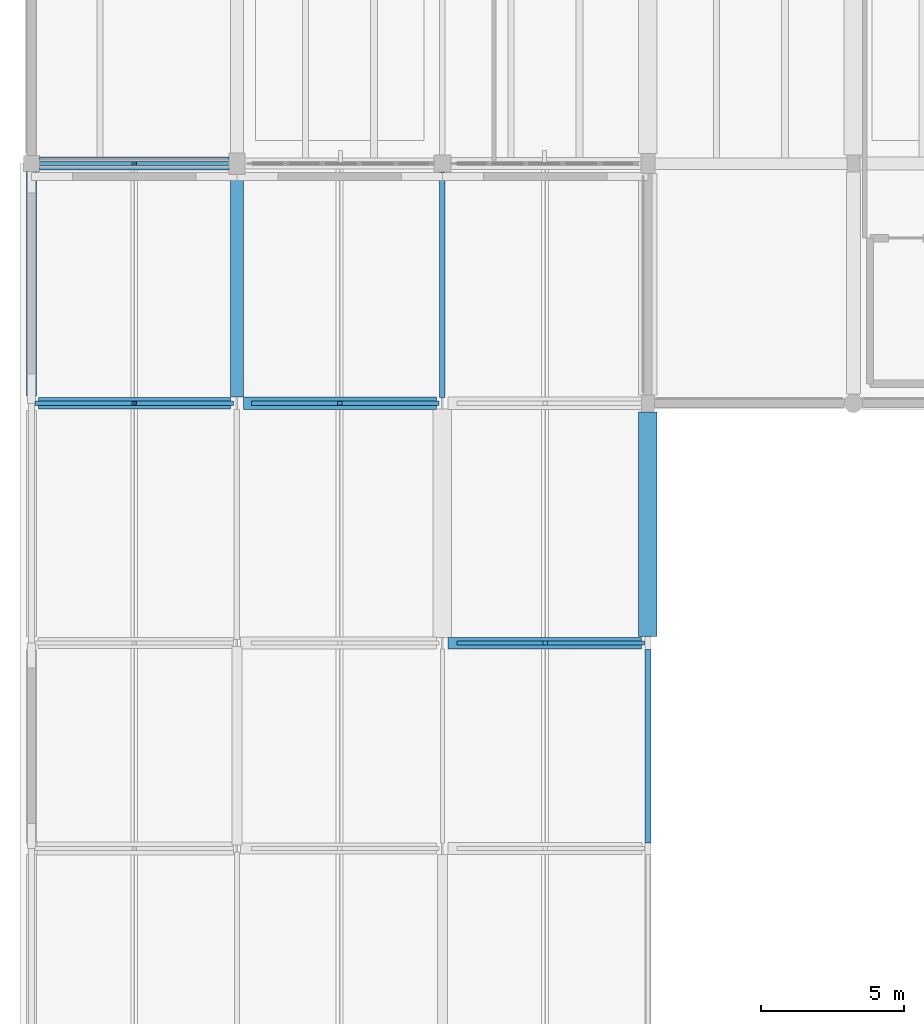
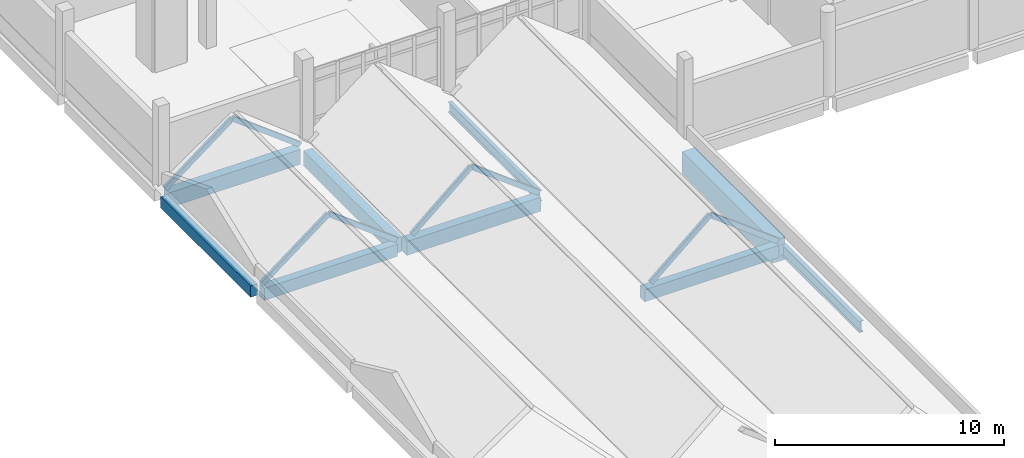
# One storey, part 7 of 41: 9 beams, 8 members.
"""IFC4 building model written with IfcOpenShell, lengths in metres."""

from ifc_helpers import new_model, si_unit, direction, frame, origin, origin_2d, place, context, subcontext, project, spatial, rectangle, hollow_rectangle, i_section, extrude, material, material_profile, profile_set, type_object, element, save


model = new_model("IFC4")

# Units and contexts
model_context = context("Model", 3, precision=1e-05, world=origin(), true_north=direction((0.0, 1.0)))
body_context = subcontext(model_context, "Body", "Model", "MODEL_VIEW")
ifc_project = project(units=[si_unit("LENGTHUNIT", "METRE"), si_unit("AREAUNIT", "SQUARE_METRE"), si_unit("VOLUMEUNIT", "CUBIC_METRE"), si_unit("PLANEANGLEUNIT", "RADIAN"), si_unit("MASSUNIT", "GRAM", prefix="KILO")], contexts=[model_context])

# Site, building, storey
site_placement = place(None, origin())
site = spatial("IfcSite", under=ifc_project, at=site_placement, CompositionType="ELEMENT")
building_placement = place(site_placement, origin())
building = spatial("IfcBuilding", under=site, at=building_placement, Name="Kalluvel Institute of Natural Sciences", CompositionType="ELEMENT")
storey_placement = place(building_placement, frame((0.0, 0.0, 32.39990234375)))
storey = spatial("IfcBuildingStorey", under=building, at=storey_placement, Name="L07", CompositionType="ELEMENT", Elevation=32.39990234375)

# Beams
ifc_material_1 = material(Name="Steel E350 Grade 350", Category="steel")
ifc_material_profile_1 = material_profile(ifc_material_1, i_section(OverallWidth=0.18994140625, OverallDepth=0.550048828125, WebThickness=0.01123046875, FlangeThickness=0.019287109375, FilletRadius=0.01806640625, at=origin_2d()), Name="ISMB 550")
ifc_profile_set_1 = profile_set([ifc_material_profile_1], Name="Steel E350 Grade 350")
beam_type_1 = type_object("IfcBeamType", Name="BM-ISMB550", PredefinedType="BEAM", material=ifc_profile_set_1)
beam_1_placement = place(storey_placement, frame((28.39990234375, 94.60009765625, -0.594970703125), z_axis=(0.0, 1.0, 0.0), x_axis=(-1.0, 0.0, 0.0)))
element("IfcBeam", 1, at=beam_1_placement, inside=storey, type_object=beam_type_1, Name="L07 girder GIR-L07-NS-X284-Y944", PredefinedType="BEAM", context=body_context, shape_type="SweptSolid", body=[
    extrude(i_section(OverallWidth=0.18994140625, OverallDepth=0.550048828125, WebThickness=0.01123046875, FlangeThickness=0.019287109375, FilletRadius=0.01806640625, at=origin_2d()), origin(), (0.0, 0.0, 1.0), 7.89990234375),
])
ifc_material_profile_2 = material_profile(ifc_material_1, i_section(OverallWidth=0.2099609375, OverallDepth=0.60009765625, WebThickness=0.011962890625, FlangeThickness=0.020751953125, FilletRadius=0.02001953125, at=origin_2d()), Name="ISMB 600")
ifc_profile_set_2 = profile_set([ifc_material_profile_2], Name="Steel E350 Grade 350")
beam_type_2 = type_object("IfcBeamType", Name="BM-ISMB600", PredefinedType="BEAM", material=ifc_profile_set_2)
beam_2_placement = place(storey_placement, frame((35.60009765625, 79.0, -0.619873046875), z_axis=(0.0, 1.0, 0.0), x_axis=(-1.0, 0.0, 0.0)))
element("IfcBeam", 2, at=beam_2_placement, inside=storey, type_object=beam_type_2, Name="L07 girder GIR-L07-NS-X356-Y788", PredefinedType="BEAM", context=body_context, shape_type="SweptSolid", body=[
    extrude(i_section(OverallWidth=0.2099609375, OverallDepth=0.60009765625, WebThickness=0.011962890625, FlangeThickness=0.020751953125, FilletRadius=0.02001953125, at=origin_2d()), origin(), (0.0, 0.0, 1.0), 6.77490234375),
])
ifc_material_2 = material(Name="Concrete M40", Category="concrete")
ifc_material_profile_3 = material_profile(ifc_material_2, rectangle(XDim=0.39990234375, YDim=0.64990234375, at=origin_2d()), Name="RCB 400x650")
ifc_profile_set_3 = profile_set([ifc_material_profile_3], Name="Concrete M40")
beam_type_3 = type_object("IfcBeamType", Name="BM-RC400x650", PredefinedType="BEAM", material=ifc_profile_set_3)
beam_3_placement = place(storey_placement, frame((28.60009765625, 86.0, -0.64501953125), z_axis=(1.0, 0.0, 0.0), x_axis=(0.0, 1.0, 0.0)))
element("IfcBeam", 3, at=beam_3_placement, inside=storey, type_object=beam_type_3, Name="L07 girder GIR-L07-EW-X284-Y860", PredefinedType="BEAM", context=body_context, shape_type="SweptSolid", body=[
    extrude(rectangle(XDim=0.39990234375, YDim=0.64990234375, at=origin_2d()), origin(), (0.0, 0.0, 1.0), 6.77490234375),
])
beam_4_placement = place(storey_placement, frame((14.25, 94.39990234375, -0.64501953125), z_axis=(1.0, 0.0, 0.0), x_axis=(0.0, 1.0, 0.0)))
element("IfcBeam", 4, at=beam_4_placement, inside=storey, type_object=beam_type_3, Name="L07 girder GIR-L07-EW-X140-Y944", PredefinedType="BEAM", context=body_context, shape_type="SweptSolid", body=[
    extrude(rectangle(XDim=0.39990234375, YDim=0.64990234375, at=origin_2d()), origin(), (0.0, 0.0, 1.0), 6.72509765625),
])
ifc_material_profile_4 = material_profile(ifc_material_2, rectangle(XDim=0.449951171875, YDim=0.75, at=origin_2d()), Name="RCB 450x750")
ifc_profile_set_4 = profile_set([ifc_material_profile_4], Name="Concrete M40")
beam_type_4 = type_object("IfcBeamType", Name="BM-RC450x750", PredefinedType="BEAM", material=ifc_profile_set_4)
beam_5_placement = place(storey_placement, frame((21.425048828125, 94.39990234375, -0.69482421875), z_axis=(1.0, 0.0, 0.0), x_axis=(0.0, 1.0, 0.0)))
element("IfcBeam", 5, at=beam_5_placement, inside=storey, type_object=beam_type_4, Name="L07 girder GIR-L07-EW-X212-Y944", PredefinedType="BEAM", context=body_context, shape_type="SweptSolid", body=[
    extrude(rectangle(XDim=0.449951171875, YDim=0.75, at=origin_2d()), origin(), (0.0, 0.0, 1.0), 6.77490234375),
])
ifc_material_profile_5 = material_profile(ifc_material_2, rectangle(XDim=0.449951171875, YDim=0.800048828125, at=origin_2d()), Name="RCB 450x800")
ifc_profile_set_5 = profile_set([ifc_material_profile_5], Name="Concrete M40")
beam_type_5 = type_object("IfcBeamType", Name="BM-RC450x800", PredefinedType="BEAM", material=ifc_profile_set_5)
beam_6_placement = place(storey_placement, frame((14.27490234375, 102.800048828125, -0.719970703125), z_axis=(1.0, 0.0, 0.0), x_axis=(0.0, 1.0, 0.0)))
element("IfcBeam", 6, at=beam_6_placement, inside=storey, type_object=beam_type_5, Name="L07 girder GIR-L07-EW-X140-Y1028", PredefinedType="BEAM", context=body_context, shape_type="SweptSolid", body=[
    extrude(rectangle(XDim=0.449951171875, YDim=0.800048828125, at=origin_2d()), origin(), (0.0, 0.0, 1.0), 6.650146484375),
])
beam_7_placement = place(storey_placement, frame((21.199951171875, 94.625, -0.719970703125), z_axis=(0.0, 1.0, 0.0), x_axis=(-1.0, 0.0, 0.0)))
element("IfcBeam", 7, at=beam_7_placement, inside=storey, type_object=beam_type_5, Name="L07 girder GIR-L07-NS-X212-Y944", PredefinedType="BEAM", context=body_context, shape_type="SweptSolid", body=[
    extrude(rectangle(XDim=0.449951171875, YDim=0.800048828125, at=origin_2d()), origin(), (0.0, 0.0, 1.0), 7.800048828125),
])
ifc_material_3 = material(Name="Concrete M50", Category="concrete")
ifc_material_profile_6 = material_profile(ifc_material_3, rectangle(XDim=0.64990234375, YDim=1.199951171875, at=origin_2d()), Name="RCB 650x1200")
ifc_profile_set_6 = profile_set([ifc_material_profile_6], Name="Concrete M50")
beam_type_6 = type_object("IfcBeamType", Name="BM-RC650x1200", PredefinedType="BEAM", material=ifc_profile_set_6)
beam_8_placement = place(storey_placement, frame((35.60009765625, 86.22509765625, -0.919921875), z_axis=(0.0, 1.0, 0.0), x_axis=(-1.0, 0.0, 0.0)))
element("IfcBeam", 8, at=beam_8_placement, inside=storey, type_object=beam_type_6, Name="L07 girder GIR-L07-NS-X356-Y860", PredefinedType="BEAM", context=body_context, shape_type="SweptSolid", body=[
    extrude(rectangle(XDim=0.64990234375, YDim=1.199951171875, at=origin_2d()), origin(), (0.0, 0.0, 1.0), 7.875),
])

# Members
ifc_material_profile_7 = material_profile(ifc_material_1, hollow_rectangle(XDim=0.14990234375, YDim=0.25, WallThickness=0.010009765625, at=origin_2d()), Name="RHS 250x150x10")
ifc_profile_set_7 = profile_set([ifc_material_profile_7], Name="Steel E350 Grade 350")
member_type = type_object("IfcMemberType", Name="MB-RAFT-RHS250", PredefinedType="RAFTER", material=ifc_profile_set_7)
member_1_placement = place(storey_placement, frame((14.199951171875, 94.39990234375, -0.199951171875), z_axis=(0.796617186193, 0.0, 0.604484126063), x_axis=(0.0, 1.0, 0.0)))
element("IfcMember", 9, at=member_1_placement, inside=storey, type_object=member_type, Name="Dry Wing Gothic roof rafter W1-94", PredefinedType="RAFTER", context=body_context, shape_type="SweptSolid", body=[
    extrude(hollow_rectangle(XDim=0.14990234375, YDim=0.25, WallThickness=0.010009765625, at=origin_2d()), origin(), (0.0, 0.0, 1.0), 4.268310546875),
])
member_2_placement = place(storey_placement, frame((21.0, 94.39990234375, -0.199951171875), z_axis=(-0.796596284013, 0.0, 0.604511670935), x_axis=(0.0, -1.0, 0.0)))
element("IfcMember", 10, at=member_2_placement, inside=storey, type_object=member_type, Name="Dry Wing Gothic roof rafter E1-94", PredefinedType="RAFTER", context=body_context, shape_type="SweptSolid", body=[
    extrude(hollow_rectangle(XDim=0.14990234375, YDim=0.25, WallThickness=0.010009765625, at=origin_2d()), origin(), (0.0, 0.0, 1.0), 4.26806640625),
])
member_3_placement = place(storey_placement, frame((14.199951171875, 102.800048828125, -0.199951171875), z_axis=(0.796617186193, 0.0, 0.604484126063), x_axis=(0.0, 1.0, 0.0)))
element("IfcMember", 11, at=member_3_placement, inside=storey, type_object=member_type, Name="Dry Wing Gothic roof rafter W1-102", PredefinedType="RAFTER", context=body_context, shape_type="SweptSolid", body=[
    extrude(hollow_rectangle(XDim=0.14990234375, YDim=0.25, WallThickness=0.010009765625, at=origin_2d()), origin(), (0.0, 0.0, 1.0), 4.268310546875),
])
member_4_placement = place(storey_placement, frame((21.0, 102.800048828125, -0.199951171875), z_axis=(-0.796596284013, 0.0, 0.604511670935), x_axis=(0.0, -1.0, 0.0)))
element("IfcMember", 12, at=member_4_placement, inside=storey, type_object=member_type, Name="Dry Wing Gothic roof rafter E1-102", PredefinedType="RAFTER", context=body_context, shape_type="SweptSolid", body=[
    extrude(hollow_rectangle(XDim=0.14990234375, YDim=0.25, WallThickness=0.010009765625, at=origin_2d()), origin(), (0.0, 0.0, 1.0), 4.26806640625),
])
member_5_placement = place(storey_placement, frame((21.800048828125, 94.39990234375, -0.199951171875), z_axis=(0.758175435379, 0.0, 0.652050618578), x_axis=(0.0, 1.0, 0.0)))
element("IfcMember", 13, at=member_5_placement, inside=storey, type_object=member_type, Name="Dry Wing Gothic roof rafter W2-94", PredefinedType="RAFTER", context=body_context, shape_type="SweptSolid", body=[
    extrude(hollow_rectangle(XDim=0.14990234375, YDim=0.25, WallThickness=0.010009765625, at=origin_2d()), origin(), (0.0, 0.0, 1.0), 3.956787109375),
])
member_6_placement = place(storey_placement, frame((28.199951171875, 94.39990234375, -0.199951171875), z_axis=(-0.796596284013, 0.0, 0.604511670935), x_axis=(0.0, -1.0, 0.0)))
element("IfcMember", 14, at=member_6_placement, inside=storey, type_object=member_type, Name="Dry Wing Gothic roof rafter E2-94", PredefinedType="RAFTER", context=body_context, shape_type="SweptSolid", body=[
    extrude(hollow_rectangle(XDim=0.14990234375, YDim=0.25, WallThickness=0.010009765625, at=origin_2d()), origin(), (0.0, 0.0, 1.0), 4.26806640625),
])
member_7_placement = place(storey_placement, frame((29.0, 86.0, -0.199951171875), z_axis=(0.758175435379, 0.0, 0.652050618578), x_axis=(0.0, 1.0, 0.0)))
element("IfcMember", 15, at=member_7_placement, inside=storey, type_object=member_type, Name="Dry Wing Gothic roof rafter W3-86", PredefinedType="RAFTER", context=body_context, shape_type="SweptSolid", body=[
    extrude(hollow_rectangle(XDim=0.14990234375, YDim=0.25, WallThickness=0.010009765625, at=origin_2d()), origin(), (0.0, 0.0, 1.0), 3.956787109375),
])
member_8_placement = place(storey_placement, frame((35.39990234375, 86.0, -0.199951171875), z_axis=(-0.796596284013, 0.0, 0.604511670935), x_axis=(0.0, -1.0, 0.0)))
element("IfcMember", 16, at=member_8_placement, inside=storey, type_object=member_type, Name="Dry Wing Gothic roof rafter E3-86", PredefinedType="RAFTER", context=body_context, shape_type="SweptSolid", body=[
    extrude(hollow_rectangle(XDim=0.14990234375, YDim=0.25, WallThickness=0.010009765625, at=origin_2d()), origin(), (0.0, 0.0, 1.0), 4.26806640625),
])

# Beam
ifc_material_profile_8 = material_profile(ifc_material_2, rectangle(XDim=0.35009765625, YDim=0.60009765625, at=origin_2d()), Name="RCB 350x600")
ifc_profile_set_8 = profile_set([ifc_material_profile_8], Name="Concrete M40")
beam_type_7 = type_object("IfcBeamType", Name="SP-RC350x600", PredefinedType="SPANDREL", material=ifc_profile_set_8)
beam_9_placement = place(storey_placement, frame((14.0, 94.64990234375, -0.619873046875), z_axis=(0.0, 1.0, 0.0), x_axis=(-1.0, 0.0, 0.0)))
element("IfcBeam", 17, at=beam_9_placement, inside=storey, type_object=beam_type_7, Name="L07 girder GIR-L07-NS-X140-Y944", PredefinedType="SPANDREL", context=body_context, shape_type="SweptSolid", body=[
    extrude(rectangle(XDim=0.35009765625, YDim=0.60009765625, at=origin_2d()), origin(), (0.0, 0.0, 1.0), 7.875),
])

save(model, "model.ifc")
